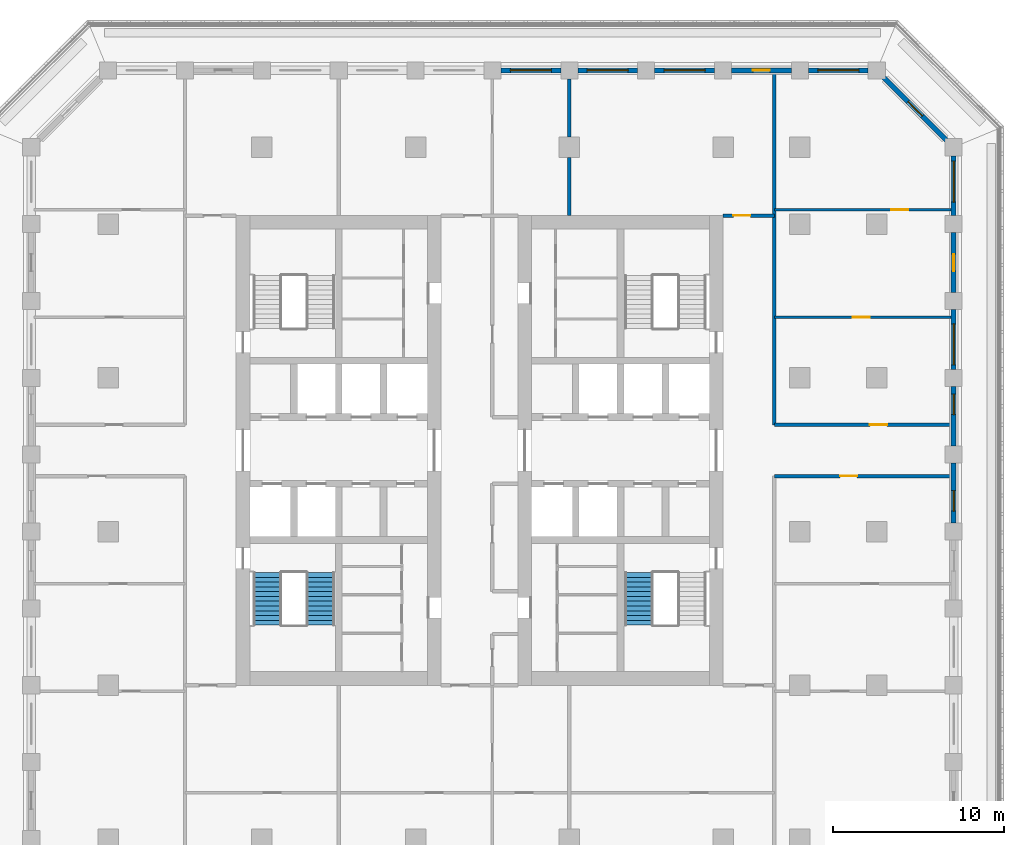
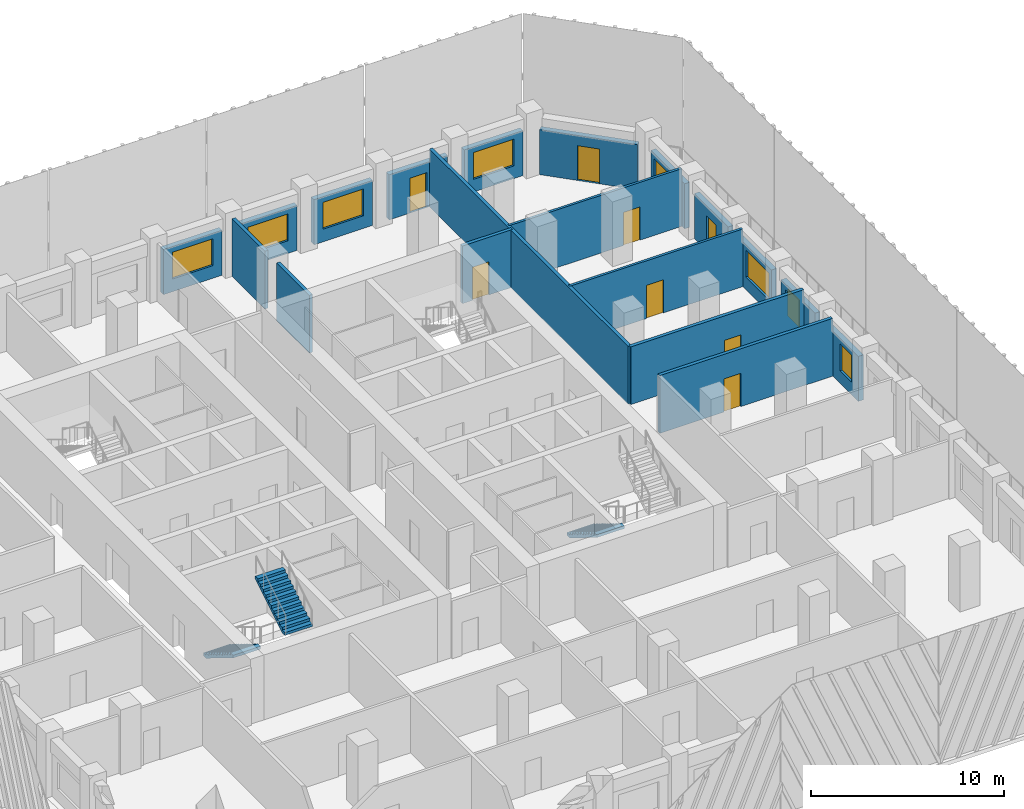
# One storey, part 8 of 17: 19 walls, 8 doors, 8 windows, 3 stair flights, 16 openings, 2 elements without a shape of their own.
"""IFC4 building model written with IfcOpenShell, lengths in metres."""

from ifc_helpers import new_model, si_unit, direction, frame, frame_2d, origin, place, context, subcontext, project, spatial, polyline, rectangle, outline, extrude, material, layer, layer_set, type_object, element, fill, aggregate, save


model = new_model("IFC4")

# Units and contexts
model_context = context("Model", 3, precision=1e-05, world=origin(), true_north=direction((0.0, 1.0)))
body_context = subcontext(model_context, "Body", "Model", "MODEL_VIEW")
ifc_project = project(units=[si_unit("LENGTHUNIT", "METRE"), si_unit("AREAUNIT", "SQUARE_METRE"), si_unit("VOLUMEUNIT", "CUBIC_METRE"), si_unit("PLANEANGLEUNIT", "RADIAN"), si_unit("MASSUNIT", "GRAM", prefix="KILO")], contexts=[model_context])

# Site, building, storey
site_placement = place(None, origin())
site = spatial("IfcSite", under=ifc_project, at=site_placement, CompositionType="ELEMENT")
building_placement = place(site_placement, origin())
building = spatial("IfcBuilding", under=site, at=building_placement, Name="Corbel Stack Research Tower", CompositionType="ELEMENT")
storey_placement = place(building_placement, frame((0.0, 0.0, 207.89990234375)))
storey = spatial("IfcBuildingStorey", under=building, at=storey_placement, Name="L47", CompositionType="ELEMENT", Elevation=207.89990234375)

# Walls
ifc_material_1 = material(Name="Fire-rated gypsum board partition on steel studs", Category="steel")
ifc_layer_1 = layer(ifc_material_1, 0.199951171875)
ifc_layer_set_1 = layer_set([ifc_layer_1], Name="Fire-rated gypsum board partition on steel studs")
wall_type_1 = type_object("IfcWallType", Name="Fire-rated partition 200 EI 60", PredefinedType="PARTITIONING", material=ifc_layer_set_1)
for number, where, z_axis, x_axis, name in (
    (1, (9.0, 18.5, 0.0), (0.0, 0.0, 1.0), (0.0, 1.0, 0.0), "Partition L47-012"),
    (2, (9.0, 23.10009765625, 0.0), (0.0, 0.0, 1.0), (0.0, 1.0, 0.0), "Partition L47-013"),
):
    element("IfcWall", number, at=place(storey_placement, frame(where, z_axis=z_axis, x_axis=x_axis)), inside=storey, type_object=wall_type_1, Name=name, PredefinedType="PARTITIONING", context=body_context, shape_type="SweptSolid", body=[
        extrude(rectangle(XDim=3.39990234375, YDim=0.199951171875, at=frame_2d((1.699951171875, 0.0))), origin(), (0.0, 0.0, 1.0), 3.650146484375),
    ])
wall_1_placement = place(storey_placement, frame((21.0, 6.25, 0.0), z_axis=(0.0, 0.0, 1.0), x_axis=(0.0, 1.0, 0.0)))
element("IfcWall", 3, at=wall_1_placement, inside=storey, type_object=wall_type_1, Name="Partition L47-015", PredefinedType="PARTITIONING", context=body_context, shape_type="SweptSolid", body=[
    extrude(rectangle(XDim=20.60009765625, YDim=0.199951171875, at=frame_2d((10.300048828125, 0.0))), origin(), (0.0, 0.0, 1.0), 3.650146484375),
])

# Wall, opening, door
wall_2_placement = place(storey_placement, frame((31.35009765625, 3.25, 0.0), z_axis=(0.0, 0.0, 1.0), x_axis=(-1.0, 0.0, 0.0)))
wall_2 = element("IfcWall", 4, at=wall_2_placement, inside=storey, type_object=wall_type_1, Name="Partition L47-032", PredefinedType="PARTITIONING", context=body_context, shape_type="SweptSolid", body=[
    extrude(rectangle(XDim=10.35009765625, YDim=0.199951171875, at=frame_2d((5.175048828125, 0.0))), origin(), (0.0, 0.0, 1.0), 3.650146484375),
])
opening_1_placement = place(wall_2_placement, frame((5.5, 0.0, 0.0)))
opening_1 = element("IfcOpeningElement", 5, at=opening_1_placement, cuts=wall_2, Name="Opening B6V1-017", PredefinedType="OPENING", context=body_context, shape_type="SweptSolid", body=[
    extrude(rectangle(XDim=1.0, YDim=2.10009765625, at=frame_2d((0.5, 1.050048828125))), frame((0.0, 0.10986328125, 0.0), z_axis=(0.0, -1.0, 0.0), x_axis=(1.0, 0.0, 0.0)), (0.0, 0.0, 1.0), 0.219970703125),
])
ifc_material_2 = material(Name="Painted steel fire door", Category="steel")
door_type_1 = type_object("IfcDoorType", Name="Fire door FD30S 1000 x 2100", OperationType="NOTDEFINED", PredefinedType="DOOR", material=ifc_material_2)
door_1_placement = place(opening_1_placement, origin())
door_1 = element("IfcDoor", 6, at=door_1_placement, inside=storey, type_object=door_type_1, Name="Door B6V1-017", OperationType="SINGLE_SWING_RIGHT", OverallHeight=2.10009765625, OverallWidth=1.0, PredefinedType="DOOR", context=body_context, shape_type="SweptSolid", body=[
    extrude(rectangle(XDim=1.0, YDim=2.10009765625, at=frame_2d((0.5, 1.050048828125))), frame((0.0, 0.02490234375, 0.0), z_axis=(0.0, -1.0, 0.0), x_axis=(1.0, 0.0, 0.0)), (0.0, 0.0, 1.0), 0.050048828125),
])
fill(opening_1, door_1)

wall_3_placement = place(storey_placement, frame((21.0, 6.25, 0.0), z_axis=(0.0, 0.0, 1.0), x_axis=(1.0, 0.0, 0.0)))
wall_3 = element("IfcWall", 7, at=wall_3_placement, inside=storey, type_object=wall_type_1, Name="Partition L47-034", PredefinedType="PARTITIONING", context=body_context, shape_type="SweptSolid", body=[
    extrude(rectangle(XDim=10.35009765625, YDim=0.199951171875, at=frame_2d((5.175048828125, 0.0))), origin(), (0.0, 0.0, 1.0), 3.650146484375),
])
opening_2_placement = place(wall_3_placement, frame((5.60009765625, 0.0, 0.0)))
opening_2 = element("IfcOpeningElement", 8, at=opening_2_placement, cuts=wall_3, Name="Opening B6V1-024", PredefinedType="OPENING", context=body_context, shape_type="SweptSolid", body=[
    extrude(rectangle(XDim=1.0, YDim=2.10009765625, at=frame_2d((0.5, 1.050048828125))), frame((0.0, 0.10986328125, 0.0), z_axis=(0.0, -1.0, 0.0), x_axis=(1.0, 0.0, 0.0)), (0.0, 0.0, 1.0), 0.219970703125),
])
door_2_placement = place(opening_2_placement, origin())
door_2 = element("IfcDoor", 9, at=door_2_placement, inside=storey, type_object=door_type_1, Name="Door B6V1-024", OperationType="SINGLE_SWING_RIGHT", OverallHeight=2.10009765625, OverallWidth=1.0, PredefinedType="DOOR", context=body_context, shape_type="SweptSolid", body=[
    extrude(rectangle(XDim=1.0, YDim=2.10009765625, at=frame_2d((0.5, 1.050048828125))), frame((0.0, 0.02490234375, 0.0), z_axis=(0.0, -1.0, 0.0), x_axis=(1.0, 0.0, 0.0)), (0.0, 0.0, 1.0), 0.050048828125),
])
fill(opening_2, door_2)

wall_4_placement = place(storey_placement, frame((18.0, 18.5, 0.0), z_axis=(0.0, 0.0, 1.0), x_axis=(1.0, 0.0, 0.0)))
wall_4 = element("IfcWall", 10, at=wall_4_placement, inside=storey, type_object=wall_type_1, Name="Partition L47-040", PredefinedType="PARTITIONING", context=body_context, shape_type="SweptSolid", body=[
    extrude(rectangle(XDim=3.0, YDim=0.199951171875, at=frame_2d((1.5, 0.0))), origin(), (0.0, 0.0, 1.0), 3.650146484375),
])
opening_3_placement = place(wall_4_placement, frame((0.60009765625, 0.0, 0.0)))
opening_3 = element("IfcOpeningElement", 11, at=opening_3_placement, cuts=wall_4, Name="Opening B6V1-029", PredefinedType="OPENING", context=body_context, shape_type="SweptSolid", body=[
    extrude(rectangle(XDim=1.0, YDim=2.10009765625, at=frame_2d((0.5, 1.050048828125))), frame((0.0, 0.10986328125, 0.0), z_axis=(0.0, -1.0, 0.0), x_axis=(1.0, 0.0, 0.0)), (0.0, 0.0, 1.0), 0.219970703125),
])
door_3_placement = place(opening_3_placement, origin())
door_3 = element("IfcDoor", 12, at=door_3_placement, inside=storey, type_object=door_type_1, Name="Door B6V1-029", OperationType="SINGLE_SWING_LEFT", OverallHeight=2.10009765625, OverallWidth=1.0, PredefinedType="DOOR", context=body_context, shape_type="SweptSolid", body=[
    extrude(rectangle(XDim=1.0, YDim=2.10009765625, at=frame_2d((0.5, 1.050048828125))), frame((0.0, 0.02490234375, 0.0), z_axis=(0.0, -1.0, 0.0), x_axis=(1.0, 0.0, 0.0)), (0.0, 0.0, 1.0), 0.050048828125),
])
fill(opening_3, door_3)

ifc_material_3 = material(Name="Gypsum board partition on steel studs", Category="steel")
ifc_layer_2 = layer(ifc_material_3, 0.14990234375)
ifc_layer_set_2 = layer_set([ifc_layer_2], Name="Gypsum board partition on steel studs")
wall_type_2 = type_object("IfcWallType", Name="Partition 150", PredefinedType="PARTITIONING", material=ifc_layer_set_2)
wall_5_placement = place(storey_placement, frame((21.0, 12.550048828125, 0.0), z_axis=(0.0, 0.0, 1.0), x_axis=(1.0, 0.0, 0.0)))
wall_5 = element("IfcWall", 13, at=wall_5_placement, inside=storey, type_object=wall_type_2, Name="Partition L47-037", PredefinedType="PARTITIONING", context=body_context, shape_type="SweptSolid", body=[
    extrude(rectangle(XDim=10.35009765625, YDim=0.14990234375, at=frame_2d((5.175048828125, 0.0))), origin(), (0.0, 0.0, 1.0), 3.650146484375),
])
opening_4_placement = place(wall_5_placement, frame((4.60009765625, 0.0, 0.0)))
opening_4 = element("IfcOpeningElement", 14, at=opening_4_placement, cuts=wall_5, Name="Opening B6V1-026", PredefinedType="OPENING", context=body_context, shape_type="SweptSolid", body=[
    extrude(rectangle(XDim=1.0, YDim=2.10009765625, at=frame_2d((0.5, 1.050048828125))), frame((0.0, 0.0849609375, 0.0), z_axis=(0.0, -1.0, 0.0), x_axis=(1.0, 0.0, 0.0)), (0.0, 0.0, 1.0), 0.169921875),
])
ifc_material_4 = material(Name="Painted timber door", Category="wood")
door_type_2 = type_object("IfcDoorType", Name="Single door 1000 x 2100", OperationType="NOTDEFINED", PredefinedType="DOOR", material=ifc_material_4)
door_4_placement = place(opening_4_placement, origin())
door_4 = element("IfcDoor", 15, at=door_4_placement, inside=storey, type_object=door_type_2, Name="Door B6V1-026", OperationType="SINGLE_SWING_LEFT", OverallHeight=2.10009765625, OverallWidth=1.0, PredefinedType="DOOR", context=body_context, shape_type="SweptSolid", body=[
    extrude(rectangle(XDim=1.0, YDim=2.10009765625, at=frame_2d((0.5, 1.050048828125))), frame((0.0, 0.02490234375, 0.0), z_axis=(0.0, -1.0, 0.0), x_axis=(1.0, 0.0, 0.0)), (0.0, 0.0, 1.0), 0.050048828125),
])
fill(opening_4, door_4)

wall_6_placement = place(storey_placement, frame((21.0, 18.85009765625, 0.0), z_axis=(0.0, 0.0, 1.0), x_axis=(1.0, 0.0, 0.0)))
wall_6 = element("IfcWall", 16, at=wall_6_placement, inside=storey, type_object=wall_type_2, Name="Partition L47-042", PredefinedType="PARTITIONING", context=body_context, shape_type="SweptSolid", body=[
    extrude(rectangle(XDim=10.35009765625, YDim=0.14990234375, at=frame_2d((5.175048828125, 0.0))), origin(), (0.0, 0.0, 1.0), 3.650146484375),
])
opening_5_placement = place(wall_6_placement, frame((6.85009765625, 0.0, 0.0)))
opening_5 = element("IfcOpeningElement", 17, at=opening_5_placement, cuts=wall_6, Name="Opening B6V1-031", PredefinedType="OPENING", context=body_context, shape_type="SweptSolid", body=[
    extrude(rectangle(XDim=1.0, YDim=2.10009765625, at=frame_2d((0.5, 1.050048828125))), frame((0.0, 0.0849609375, 0.0), z_axis=(0.0, -1.0, 0.0), x_axis=(1.0, 0.0, 0.0)), (0.0, 0.0, 1.0), 0.169921875),
])
door_5_placement = place(opening_5_placement, origin())
door_5 = element("IfcDoor", 18, at=door_5_placement, inside=storey, type_object=door_type_2, Name="Door B6V1-031", OperationType="SINGLE_SWING_RIGHT", OverallHeight=2.10009765625, OverallWidth=1.0, PredefinedType="DOOR", context=body_context, shape_type="SweptSolid", body=[
    extrude(rectangle(XDim=1.0, YDim=2.10009765625, at=frame_2d((0.5, 1.050048828125))), frame((0.0, 0.02490234375, 0.0), z_axis=(0.0, -1.0, 0.0), x_axis=(1.0, 0.0, 0.0)), (0.0, 0.0, 1.0), 0.050048828125),
])
fill(opening_5, door_5)

# Wall, opening, window
ifc_material_5 = material(Name="Concrete C45/55", Category="concrete")
ifc_layer_3 = layer(ifc_material_5, 0.300048828125)
ifc_layer_set_3 = layer_set([ifc_layer_3], Name="Concrete C45/55")
wall_type_3 = type_object("IfcWallType", Name="Terracotta-faced concrete wall 300", PredefinedType="SOLIDWALL", material=ifc_layer_set_3)
wall_7_placement = place(storey_placement, frame((31.5, 4.0, 0.0), z_axis=(0.0, 0.0, 1.0), x_axis=(0.0, -1.0, 0.0)))
wall_7 = element("IfcWall", 19, at=wall_7_placement, inside=storey, type_object=wall_type_3, Name="Facade wall L47 E06", PredefinedType="SOLIDWALL", context=body_context, shape_type="SweptSolid", body=[
    extrude(rectangle(XDim=3.5, YDim=0.300048828125, at=frame_2d((1.75, 0.0))), origin(), (0.0, 0.0, 1.0), 2.85009765625),
])
opening_6_placement = place(wall_7_placement, frame((1.60009765625, 0.0, 0.800048828125)))
opening_6 = element("IfcOpeningElement", 20, at=opening_6_placement, cuts=wall_7, Name="Opening W2", PredefinedType="OPENING", context=body_context, shape_type="SweptSolid", body=[
    extrude(rectangle(XDim=1.199951171875, YDim=1.699951171875, at=frame_2d((0.60009765625, 0.85009765625))), frame((0.0, 0.159912109375, 0.0), z_axis=(0.0, -1.0, 0.0), x_axis=(1.0, 0.0, 0.0)), (0.0, 0.0, 1.0), 0.320068359375),
])
ifc_material_6 = material(Name="Aluminium frame, clear double glazing", Category="aluminium")
window_type_1 = type_object("IfcWindowType", Name="Window W2 1200 x 1700", PartitioningType="SINGLE_PANEL", PredefinedType="WINDOW", material=ifc_material_6)
window_1_placement = place(opening_6_placement, origin())
window_1 = element("IfcWindow", 21, at=window_1_placement, inside=storey, type_object=window_type_1, Name="Window W2 L47 E06", OverallHeight=1.699951171875, OverallWidth=1.199951171875, PartitioningType="SINGLE_PANEL", PredefinedType="WINDOW", context=body_context, shape_type="SweptSolid", body=[
    extrude(rectangle(XDim=1.199951171875, YDim=1.699951171875, at=frame_2d((0.60009765625, 0.85009765625))), frame((0.0, 0.030029296875, 0.0), z_axis=(0.0, -1.0, 0.0), x_axis=(1.0, 0.0, 0.0)), (0.0, 0.0, 1.0), 0.06005859375),
])
fill(opening_6, window_1)

wall_8_placement = place(storey_placement, frame((31.5, 8.5, 0.0), z_axis=(0.0, 0.0, 1.0), x_axis=(0.0, -1.0, 0.0)))
wall_8 = element("IfcWall", 22, at=wall_8_placement, inside=storey, type_object=wall_type_3, Name="Facade wall L47 E07", PredefinedType="SOLIDWALL", context=body_context, shape_type="SweptSolid", body=[
    extrude(rectangle(XDim=3.5, YDim=0.300048828125, at=frame_2d((1.75, 0.0))), origin(), (0.0, 0.0, 1.0), 2.85009765625),
])
opening_7_placement = place(wall_8_placement, frame((0.449951171875, 0.0, 0.800048828125)))
opening_7 = element("IfcOpeningElement", 23, at=opening_7_placement, cuts=wall_8, Name="Opening W2", PredefinedType="OPENING", context=body_context, shape_type="SweptSolid", body=[
    extrude(rectangle(XDim=1.199951171875, YDim=1.699951171875, at=frame_2d((0.60009765625, 0.85009765625))), frame((0.0, 0.159912109375, 0.0), z_axis=(0.0, -1.0, 0.0), x_axis=(1.0, 0.0, 0.0)), (0.0, 0.0, 1.0), 0.320068359375),
])
window_2_placement = place(opening_7_placement, origin())
window_2 = element("IfcWindow", 24, at=window_2_placement, inside=storey, type_object=window_type_1, Name="Window W2 L47 E07", OverallHeight=1.699951171875, OverallWidth=1.199951171875, PartitioningType="SINGLE_PANEL", PredefinedType="WINDOW", context=body_context, shape_type="SweptSolid", body=[
    extrude(rectangle(XDim=1.199951171875, YDim=1.699951171875, at=frame_2d((0.60009765625, 0.85009765625))), frame((0.0, 0.030029296875, 0.0), z_axis=(0.0, -1.0, 0.0), x_axis=(1.0, 0.0, 0.0)), (0.0, 0.0, 1.0), 0.06005859375),
])
fill(opening_7, window_2)

wall_9_placement = place(storey_placement, frame((31.5, 13.0, 0.0), z_axis=(0.0, 0.0, 1.0), x_axis=(0.0, -1.0, 0.0)))
wall_9 = element("IfcWall", 25, at=wall_9_placement, inside=storey, type_object=wall_type_3, Name="Facade wall L47 E08", PredefinedType="SOLIDWALL", context=body_context, shape_type="SweptSolid", body=[
    extrude(rectangle(XDim=3.5, YDim=0.300048828125, at=frame_2d((1.75, 0.0))), origin(), (0.0, 0.0, 1.0), 2.85009765625),
])
opening_8_placement = place(wall_9_placement, frame((0.83740234375, 0.0, 0.800048828125)))
opening_8 = element("IfcOpeningElement", 26, at=opening_8_placement, cuts=wall_9, Name="Opening W1", PredefinedType="OPENING", context=body_context, shape_type="SweptSolid", body=[
    extrude(rectangle(XDim=2.39990234375, YDim=1.699951171875, at=frame_2d((1.199951171875, 0.85009765625))), frame((0.0, 0.159912109375, 0.0), z_axis=(0.0, -1.0, 0.0), x_axis=(1.0, 0.0, 0.0)), (0.0, 0.0, 1.0), 0.320068359375),
])
ifc_material_7 = material(Name="Aluminium frame, clear double glazing", Category="aluminium")
window_type_2 = type_object("IfcWindowType", Name="Window W1 2400 x 1700", PartitioningType="SINGLE_PANEL", PredefinedType="WINDOW", material=ifc_material_7)
window_3_placement = place(opening_8_placement, origin())
window_3 = element("IfcWindow", 27, at=window_3_placement, inside=storey, type_object=window_type_2, Name="Window W1 L47 E08", OverallHeight=1.699951171875, OverallWidth=2.39990234375, PartitioningType="SINGLE_PANEL", PredefinedType="WINDOW", context=body_context, shape_type="SweptSolid", body=[
    extrude(rectangle(XDim=2.39990234375, YDim=1.699951171875, at=frame_2d((1.199951171875, 0.85009765625))), frame((0.0, 0.030029296875, 0.0), z_axis=(0.0, -1.0, 0.0), x_axis=(1.0, 0.0, 0.0)), (0.0, 0.0, 1.0), 0.06005859375),
])
fill(opening_8, window_3)

# Wall, opening, door
wall_10_placement = place(storey_placement, frame((31.5, 17.5, 0.0), z_axis=(0.0, 0.0, 1.0), x_axis=(0.0, -1.0, 0.0)))
wall_10 = element("IfcWall", 28, at=wall_10_placement, inside=storey, type_object=wall_type_3, Name="Facade wall L47 E09", PredefinedType="SOLIDWALL", context=body_context, shape_type="SweptSolid", body=[
    extrude(rectangle(XDim=3.5, YDim=0.300048828125, at=frame_2d((1.75, 0.0))), origin(), (0.0, 0.0, 1.0), 2.85009765625),
])
opening_9_placement = place(wall_10_placement, frame((1.25, 0.0, 0.0)))
opening_9 = element("IfcOpeningElement", 29, at=opening_9_placement, cuts=wall_10, Name="Opening L47-B05", PredefinedType="OPENING", context=body_context, shape_type="SweptSolid", body=[
    extrude(rectangle(XDim=1.0, YDim=2.199951171875, at=frame_2d((0.5, 1.10009765625))), frame((0.0, 0.159912109375, 0.0), z_axis=(0.0, -1.0, 0.0), x_axis=(1.0, 0.0, 0.0)), (0.0, 0.0, 1.0), 0.320068359375),
])
ifc_material_8 = material(Name="Aluminium frame, clear double glazing", Category="aluminium")
door_type_3 = type_object("IfcDoorType", Name="Balcony door BD1 1000 x 2200", OperationType="NOTDEFINED", PredefinedType="DOOR", material=ifc_material_8)
door_6_placement = place(opening_9_placement, origin())
door_6 = element("IfcDoor", 30, at=door_6_placement, inside=storey, type_object=door_type_3, Name="Balcony door L47-B05", OperationType="SINGLE_SWING_RIGHT", OverallHeight=2.199951171875, OverallWidth=1.0, PredefinedType="DOOR", context=body_context, shape_type="SweptSolid", body=[
    extrude(rectangle(XDim=1.0, YDim=2.199951171875, at=frame_2d((0.5, 1.10009765625))), frame((0.0, 0.02490234375, 0.0), z_axis=(0.0, -1.0, 0.0), x_axis=(1.0, 0.0, 0.0)), (0.0, 0.0, 1.0), 0.050048828125),
])
fill(opening_9, door_6)

# Wall, opening, window
wall_11_placement = place(storey_placement, frame((31.5, 22.0, 0.0), z_axis=(0.0, 0.0, 1.0), x_axis=(0.0, -1.0, 0.0)))
wall_11 = element("IfcWall", 31, at=wall_11_placement, inside=storey, type_object=wall_type_3, Name="Facade wall L47 E10", PredefinedType="SOLIDWALL", context=body_context, shape_type="SweptSolid", body=[
    extrude(rectangle(XDim=3.5, YDim=0.300048828125, at=frame_2d((1.75, 0.0))), origin(), (0.0, 0.0, 1.0), 2.85009765625),
])
opening_10_placement = place(wall_11_placement, frame((0.3125, 0.0, 0.800048828125)))
opening_10 = element("IfcOpeningElement", 32, at=opening_10_placement, cuts=wall_11, Name="Opening W1", PredefinedType="OPENING", context=body_context, shape_type="SweptSolid", body=[
    extrude(rectangle(XDim=2.39990234375, YDim=1.699951171875, at=frame_2d((1.199951171875, 0.85009765625))), frame((0.0, 0.159912109375, 0.0), z_axis=(0.0, -1.0, 0.0), x_axis=(1.0, 0.0, 0.0)), (0.0, 0.0, 1.0), 0.320068359375),
])
window_4_placement = place(opening_10_placement, origin())
window_4 = element("IfcWindow", 33, at=window_4_placement, inside=storey, type_object=window_type_2, Name="Window W1 L47 E10", OverallHeight=1.699951171875, OverallWidth=2.39990234375, PartitioningType="SINGLE_PANEL", PredefinedType="WINDOW", context=body_context, shape_type="SweptSolid", body=[
    extrude(rectangle(XDim=2.39990234375, YDim=1.699951171875, at=frame_2d((1.199951171875, 0.85009765625))), frame((0.0, 0.030029296875, 0.0), z_axis=(0.0, -1.0, 0.0), x_axis=(1.0, 0.0, 0.0)), (0.0, 0.0, 1.0), 0.06005859375),
])
fill(opening_10, window_4)

# Wall, opening, door
wall_12_placement = place(storey_placement, frame((27.393798828125, 26.606201171875, 0.0), z_axis=(0.0, 0.0, 1.0), x_axis=(0.707106781187, -0.707106781187, 0.0)))
wall_12 = element("IfcWall", 34, at=wall_12_placement, inside=storey, type_object=wall_type_3, Name="Facade wall L47 NE01", PredefinedType="SOLIDWALL", context=body_context, shape_type="SweptSolid", body=[
    extrude(rectangle(XDim=5.250244140625, YDim=0.300048828125, at=frame_2d((2.625, 0.0))), origin(), (0.0, 0.0, 1.0), 2.85009765625),
])
opening_11_placement = place(wall_12_placement, frame((2.02490234375, 0.0, 0.0)))
opening_11 = element("IfcOpeningElement", 35, at=opening_11_placement, cuts=wall_12, Name="Opening L47-B06", PredefinedType="OPENING", context=body_context, shape_type="SweptSolid", body=[
    extrude(rectangle(XDim=1.199951171875, YDim=2.199951171875, at=frame_2d((0.60009765625, 1.10009765625))), frame((0.0, 0.159912109375, 0.0), z_axis=(0.0, -1.0, 0.0), x_axis=(1.0, 0.0, 0.0)), (0.0, 0.0, 1.0), 0.320068359375),
])
ifc_material_9 = material(Name="Aluminium frame, clear double glazing", Category="aluminium")
door_type_4 = type_object("IfcDoorType", Name="Balcony door BD2 1200 x 2200", OperationType="NOTDEFINED", PredefinedType="DOOR", material=ifc_material_9)
door_7_placement = place(opening_11_placement, origin())
door_7 = element("IfcDoor", 36, at=door_7_placement, inside=storey, type_object=door_type_4, Name="Balcony door L47-B06", OperationType="SINGLE_SWING_RIGHT", OverallHeight=2.199951171875, OverallWidth=1.199951171875, PredefinedType="DOOR", context=body_context, shape_type="SweptSolid", body=[
    extrude(rectangle(XDim=1.199951171875, YDim=2.199951171875, at=frame_2d((0.60009765625, 1.10009765625))), frame((0.0, 0.02490234375, 0.0), z_axis=(0.0, -1.0, 0.0), x_axis=(1.0, 0.0, 0.0)), (0.0, 0.0, 1.0), 0.050048828125),
])
fill(opening_11, door_7)

# Wall, opening, window
wall_13_placement = place(storey_placement, frame((23.0, 27.0, 0.0), z_axis=(0.0, 0.0, 1.0), x_axis=(1.0, 0.0, 0.0)))
wall_13 = element("IfcWall", 37, at=wall_13_placement, inside=storey, type_object=wall_type_3, Name="Facade wall L47 N01", PredefinedType="SOLIDWALL", context=body_context, shape_type="SweptSolid", body=[
    extrude(rectangle(XDim=3.5, YDim=0.300048828125, at=frame_2d((1.75, 0.0))), origin(), (0.0, 0.0, 1.0), 2.85009765625),
])
opening_12_placement = place(wall_13_placement, frame((0.550048828125, 0.0, 0.800048828125)))
opening_12 = element("IfcOpeningElement", 38, at=opening_12_placement, cuts=wall_13, Name="Opening W1", PredefinedType="OPENING", context=body_context, shape_type="SweptSolid", body=[
    extrude(rectangle(XDim=2.39990234375, YDim=1.699951171875, at=frame_2d((1.199951171875, 0.85009765625))), frame((0.0, 0.159912109375, 0.0), z_axis=(0.0, -1.0, 0.0), x_axis=(1.0, 0.0, 0.0)), (0.0, 0.0, 1.0), 0.320068359375),
])
window_5_placement = place(opening_12_placement, origin())
window_5 = element("IfcWindow", 39, at=window_5_placement, inside=storey, type_object=window_type_2, Name="Window W1 L47 N01", OverallHeight=1.699951171875, OverallWidth=2.39990234375, PartitioningType="SINGLE_PANEL", PredefinedType="WINDOW", context=body_context, shape_type="SweptSolid", body=[
    extrude(rectangle(XDim=2.39990234375, YDim=1.699951171875, at=frame_2d((1.199951171875, 0.85009765625))), frame((0.0, 0.030029296875, 0.0), z_axis=(0.0, -1.0, 0.0), x_axis=(1.0, 0.0, 0.0)), (0.0, 0.0, 1.0), 0.06005859375),
])
fill(opening_12, window_5)

# Wall, opening, door
wall_14_placement = place(storey_placement, frame((18.5, 27.0, 0.0), z_axis=(0.0, 0.0, 1.0), x_axis=(1.0, 0.0, 0.0)))
wall_14 = element("IfcWall", 40, at=wall_14_placement, inside=storey, type_object=wall_type_3, Name="Facade wall L47 N02", PredefinedType="SOLIDWALL", context=body_context, shape_type="SweptSolid", body=[
    extrude(rectangle(XDim=3.5, YDim=0.300048828125, at=frame_2d((1.75, 0.0))), origin(), (0.0, 0.0, 1.0), 2.85009765625),
])
opening_13_placement = place(wall_14_placement, frame((1.25, 0.0, 0.0)))
opening_13 = element("IfcOpeningElement", 41, at=opening_13_placement, cuts=wall_14, Name="Opening L47-B07", PredefinedType="OPENING", context=body_context, shape_type="SweptSolid", body=[
    extrude(rectangle(XDim=1.0, YDim=2.199951171875, at=frame_2d((0.5, 1.10009765625))), frame((0.0, 0.159912109375, 0.0), z_axis=(0.0, -1.0, 0.0), x_axis=(1.0, 0.0, 0.0)), (0.0, 0.0, 1.0), 0.320068359375),
])
door_8_placement = place(opening_13_placement, origin())
door_8 = element("IfcDoor", 42, at=door_8_placement, inside=storey, type_object=door_type_3, Name="Balcony door L47-B07", OperationType="SINGLE_SWING_LEFT", OverallHeight=2.199951171875, OverallWidth=1.0, PredefinedType="DOOR", context=body_context, shape_type="SweptSolid", body=[
    extrude(rectangle(XDim=1.0, YDim=2.199951171875, at=frame_2d((0.5, 1.10009765625))), frame((0.0, 0.02490234375, 0.0), z_axis=(0.0, -1.0, 0.0), x_axis=(1.0, 0.0, 0.0)), (0.0, 0.0, 1.0), 0.050048828125),
])
fill(opening_13, door_8)

# Wall, opening, window
wall_15_placement = place(storey_placement, frame((14.0, 27.0, 0.0), z_axis=(0.0, 0.0, 1.0), x_axis=(1.0, 0.0, 0.0)))
wall_15 = element("IfcWall", 43, at=wall_15_placement, inside=storey, type_object=wall_type_3, Name="Facade wall L47 N03", PredefinedType="SOLIDWALL", context=body_context, shape_type="SweptSolid", body=[
    extrude(rectangle(XDim=3.5, YDim=0.300048828125, at=frame_2d((1.75, 0.0))), origin(), (0.0, 0.0, 1.0), 2.85009765625),
])
opening_14_placement = place(wall_15_placement, frame((0.550048828125, 0.0, 0.800048828125)))
opening_14 = element("IfcOpeningElement", 44, at=opening_14_placement, cuts=wall_15, Name="Opening W1", PredefinedType="OPENING", context=body_context, shape_type="SweptSolid", body=[
    extrude(rectangle(XDim=2.39990234375, YDim=1.699951171875, at=frame_2d((1.199951171875, 0.85009765625))), frame((0.0, 0.159912109375, 0.0), z_axis=(0.0, -1.0, 0.0), x_axis=(1.0, 0.0, 0.0)), (0.0, 0.0, 1.0), 0.320068359375),
])
window_6_placement = place(opening_14_placement, origin())
window_6 = element("IfcWindow", 45, at=window_6_placement, inside=storey, type_object=window_type_2, Name="Window W1 L47 N03", OverallHeight=1.699951171875, OverallWidth=2.39990234375, PartitioningType="SINGLE_PANEL", PredefinedType="WINDOW", context=body_context, shape_type="SweptSolid", body=[
    extrude(rectangle(XDim=2.39990234375, YDim=1.699951171875, at=frame_2d((1.199951171875, 0.85009765625))), frame((0.0, 0.030029296875, 0.0), z_axis=(0.0, -1.0, 0.0), x_axis=(1.0, 0.0, 0.0)), (0.0, 0.0, 1.0), 0.06005859375),
])
fill(opening_14, window_6)

wall_16_placement = place(storey_placement, frame((9.5, 27.0, 0.0), z_axis=(0.0, 0.0, 1.0), x_axis=(1.0, 0.0, 0.0)))
wall_16 = element("IfcWall", 46, at=wall_16_placement, inside=storey, type_object=wall_type_3, Name="Facade wall L47 N04", PredefinedType="SOLIDWALL", context=body_context, shape_type="SweptSolid", body=[
    extrude(rectangle(XDim=3.5, YDim=0.300048828125, at=frame_2d((1.75, 0.0))), origin(), (0.0, 0.0, 1.0), 2.85009765625),
])
opening_15_placement = place(wall_16_placement, frame((0.550048828125, 0.0, 0.800048828125)))
opening_15 = element("IfcOpeningElement", 47, at=opening_15_placement, cuts=wall_16, Name="Opening W1", PredefinedType="OPENING", context=body_context, shape_type="SweptSolid", body=[
    extrude(rectangle(XDim=2.39990234375, YDim=1.699951171875, at=frame_2d((1.199951171875, 0.85009765625))), frame((0.0, 0.159912109375, 0.0), z_axis=(0.0, -1.0, 0.0), x_axis=(1.0, 0.0, 0.0)), (0.0, 0.0, 1.0), 0.320068359375),
])
window_7_placement = place(opening_15_placement, origin())
window_7 = element("IfcWindow", 48, at=window_7_placement, inside=storey, type_object=window_type_2, Name="Window W1 L47 N04", OverallHeight=1.699951171875, OverallWidth=2.39990234375, PartitioningType="SINGLE_PANEL", PredefinedType="WINDOW", context=body_context, shape_type="SweptSolid", body=[
    extrude(rectangle(XDim=2.39990234375, YDim=1.699951171875, at=frame_2d((1.199951171875, 0.85009765625))), frame((0.0, 0.030029296875, 0.0), z_axis=(0.0, -1.0, 0.0), x_axis=(1.0, 0.0, 0.0)), (0.0, 0.0, 1.0), 0.06005859375),
])
fill(opening_15, window_7)

wall_17_placement = place(storey_placement, frame((5.0, 27.0, 0.0), z_axis=(0.0, 0.0, 1.0), x_axis=(1.0, 0.0, 0.0)))
wall_17 = element("IfcWall", 49, at=wall_17_placement, inside=storey, type_object=wall_type_3, Name="Facade wall L47 N05", PredefinedType="SOLIDWALL", context=body_context, shape_type="SweptSolid", body=[
    extrude(rectangle(XDim=3.5, YDim=0.300048828125, at=frame_2d((1.75, 0.0))), origin(), (0.0, 0.0, 1.0), 2.85009765625),
])
opening_16_placement = place(wall_17_placement, frame((0.550048828125, 0.0, 0.800048828125)))
opening_16 = element("IfcOpeningElement", 50, at=opening_16_placement, cuts=wall_17, Name="Opening W1", PredefinedType="OPENING", context=body_context, shape_type="SweptSolid", body=[
    extrude(rectangle(XDim=2.39990234375, YDim=1.699951171875, at=frame_2d((1.199951171875, 0.85009765625))), frame((0.0, 0.159912109375, 0.0), z_axis=(0.0, -1.0, 0.0), x_axis=(1.0, 0.0, 0.0)), (0.0, 0.0, 1.0), 0.320068359375),
])
window_8_placement = place(opening_16_placement, origin())
window_8 = element("IfcWindow", 51, at=window_8_placement, inside=storey, type_object=window_type_2, Name="Window W1 L47 N05", OverallHeight=1.699951171875, OverallWidth=2.39990234375, PartitioningType="SINGLE_PANEL", PredefinedType="WINDOW", context=body_context, shape_type="SweptSolid", body=[
    extrude(rectangle(XDim=2.39990234375, YDim=1.699951171875, at=frame_2d((1.199951171875, 0.85009765625))), frame((0.0, 0.030029296875, 0.0), z_axis=(0.0, -1.0, 0.0), x_axis=(1.0, 0.0, 0.0)), (0.0, 0.0, 1.0), 0.06005859375),
])
fill(opening_16, window_8)

# Stair, stair flights
ifc_material_10 = material(Name="Concrete C40/50", Category="concrete")
stair_type = type_object("IfcStairType", Name="Exit stair 24 risers", PredefinedType="HALF_TURN_STAIR", material=ifc_material_10)
stair_1_placement = place(storey_placement, origin())
stair_1 = element("IfcStair", 52, at=stair_1_placement, inside=storey, type_object=stair_type, Name="L47 Exit stair ST-W1", PredefinedType="HALF_TURN_STAIR")
ifc_material_11 = material(Name="Concrete C40/50", Category="concrete")
stair_flight_type = type_object("IfcStairFlightType", Name="Stair flight 12 risers", PredefinedType="STRAIGHT", material=ifc_material_11)
stair_flight_1_placement = place(storey_placement, frame((-8.675048828125, -2.39990234375, 0.0), z_axis=(0.0, 0.0, 1.0), x_axis=(0.0, -1.0, 0.0)))
stair_flight_1 = element("IfcStairFlight", 53, at=stair_flight_1_placement, type_object=stair_flight_type, Name="ST-W1 flight 1", NumberOfRisers=12, NumberOfTreads=11, PredefinedType="STRAIGHT", RiserHeight=0.170833333, TreadLength=0.28, context=body_context, shape_type="SweptSolid", body=[
    extrude(outline(polyline([(0.0, 0.0), (0.0, 0.1708984375), (0.280029296875, 0.1708984375), (0.280029296875, 0.341552734375), (0.56005859375, 0.341552734375), (0.56005859375, 0.512451171875), (0.840087890625, 0.512451171875), (0.840087890625, 0.683349609375), (1.1201171875, 0.683349609375), (1.1201171875, 0.854248046875), (1.39990234375, 0.854248046875), (1.39990234375, 1.02490234375), (1.679931640625, 1.02490234375), (1.679931640625, 1.19580078125), (1.9599609375, 1.19580078125), (1.9599609375, 1.36669921875), (2.239990234375, 1.36669921875), (2.239990234375, 1.53759765625), (2.52001953125, 1.53759765625), (2.52001953125, 1.708251953125), (2.800048828125, 1.708251953125), (2.800048828125, 1.879150390625), (3.080078125, 1.879150390625), (3.080078125, 2.050048828125), (3.080078125, 1.70361328125), (0.287841796875, 0.0), (0.0, 0.0)])), frame((0.0, 0.824951171875, 0.0), z_axis=(0.0, -1.0, 0.0), x_axis=(1.0, 0.0, 0.0)), (0.0, 0.0, 1.0), 1.64990234375),
])
stair_flight_2_placement = place(storey_placement, frame((-5.574951171875, -5.47998046875, 2.050048828125), z_axis=(0.0, 0.0, 1.0), x_axis=(0.0, 1.0, 0.0)))
stair_flight_2 = element("IfcStairFlight", 54, at=stair_flight_2_placement, type_object=stair_flight_type, Name="ST-W1 flight 2", NumberOfRisers=12, NumberOfTreads=11, PredefinedType="STRAIGHT", RiserHeight=0.170833333, TreadLength=0.28, context=body_context, shape_type="SweptSolid", body=[
    extrude(outline(polyline([(0.0, 0.0), (0.0, 0.1708984375), (0.280029296875, 0.1708984375), (0.280029296875, 0.341552734375), (0.56005859375, 0.341552734375), (0.56005859375, 0.512451171875), (0.840087890625, 0.512451171875), (0.840087890625, 0.683349609375), (1.1201171875, 0.683349609375), (1.1201171875, 0.854248046875), (1.39990234375, 0.854248046875), (1.39990234375, 1.02490234375), (1.679931640625, 1.02490234375), (1.679931640625, 1.19580078125), (1.9599609375, 1.19580078125), (1.9599609375, 1.36669921875), (2.239990234375, 1.36669921875), (2.239990234375, 1.53759765625), (2.52001953125, 1.53759765625), (2.52001953125, 1.708251953125), (2.800048828125, 1.708251953125), (2.800048828125, 1.879150390625), (3.080078125, 1.879150390625), (3.080078125, 2.050048828125), (3.080078125, 1.70361328125), (0.287841796875, 0.0), (0.0, 0.0)])), frame((0.0, 0.824951171875, 0.0), z_axis=(0.0, -1.0, 0.0), x_axis=(1.0, 0.0, 0.0)), (0.0, 0.0, 1.0), 1.64990234375),
])
aggregate(stair_1, [stair_flight_1, stair_flight_2])

# Stair, stair flight
stair_2_placement = place(storey_placement, origin())
stair_2 = element("IfcStair", 55, at=stair_2_placement, inside=storey, type_object=stair_type, Name="L47 Exit stair ST-E1", PredefinedType="HALF_TURN_STAIR")
stair_flight_3_placement = place(storey_placement, frame((13.074951171875, -2.39990234375, 0.0), z_axis=(0.0, 0.0, 1.0), x_axis=(0.0, -1.0, 0.0)))
stair_flight_3 = element("IfcStairFlight", 56, at=stair_flight_3_placement, type_object=stair_flight_type, Name="ST-E1 flight 1", NumberOfRisers=12, NumberOfTreads=11, PredefinedType="STRAIGHT", RiserHeight=0.170833333, TreadLength=0.28, context=body_context, shape_type="SweptSolid", body=[
    extrude(outline(polyline([(0.0, 0.0), (0.0, 0.1708984375), (0.280029296875, 0.1708984375), (0.280029296875, 0.341552734375), (0.56005859375, 0.341552734375), (0.56005859375, 0.512451171875), (0.840087890625, 0.512451171875), (0.840087890625, 0.683349609375), (1.1201171875, 0.683349609375), (1.1201171875, 0.854248046875), (1.39990234375, 0.854248046875), (1.39990234375, 1.02490234375), (1.679931640625, 1.02490234375), (1.679931640625, 1.19580078125), (1.9599609375, 1.19580078125), (1.9599609375, 1.36669921875), (2.239990234375, 1.36669921875), (2.239990234375, 1.53759765625), (2.52001953125, 1.53759765625), (2.52001953125, 1.708251953125), (2.800048828125, 1.708251953125), (2.800048828125, 1.879150390625), (3.080078125, 1.879150390625), (3.080078125, 2.050048828125), (3.080078125, 1.70361328125), (0.287841796875, 0.0), (0.0, 0.0)])), frame((0.0, 0.824951171875, 0.0), z_axis=(0.0, -1.0, 0.0), x_axis=(1.0, 0.0, 0.0)), (0.0, 0.0, 1.0), 1.64990234375),
])
aggregate(stair_2, [stair_flight_3])

save(model, "model.ifc")
